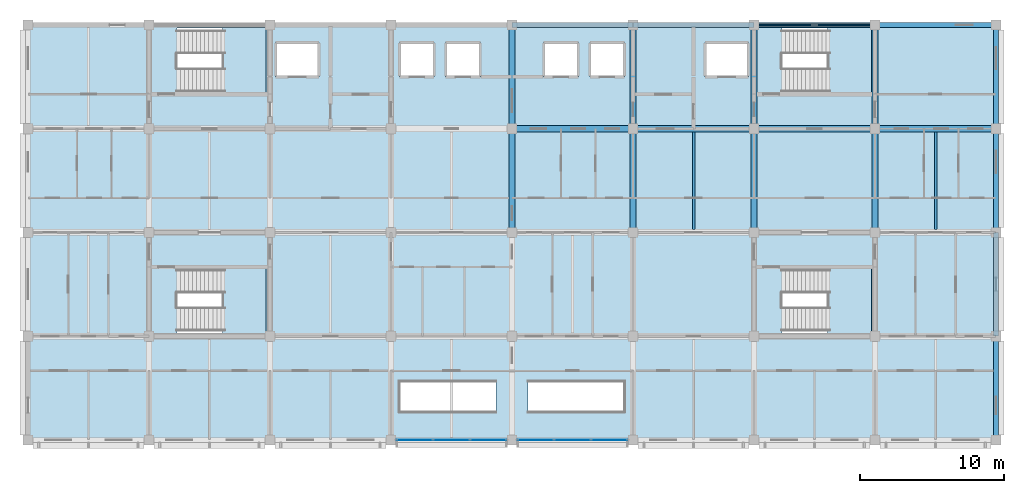
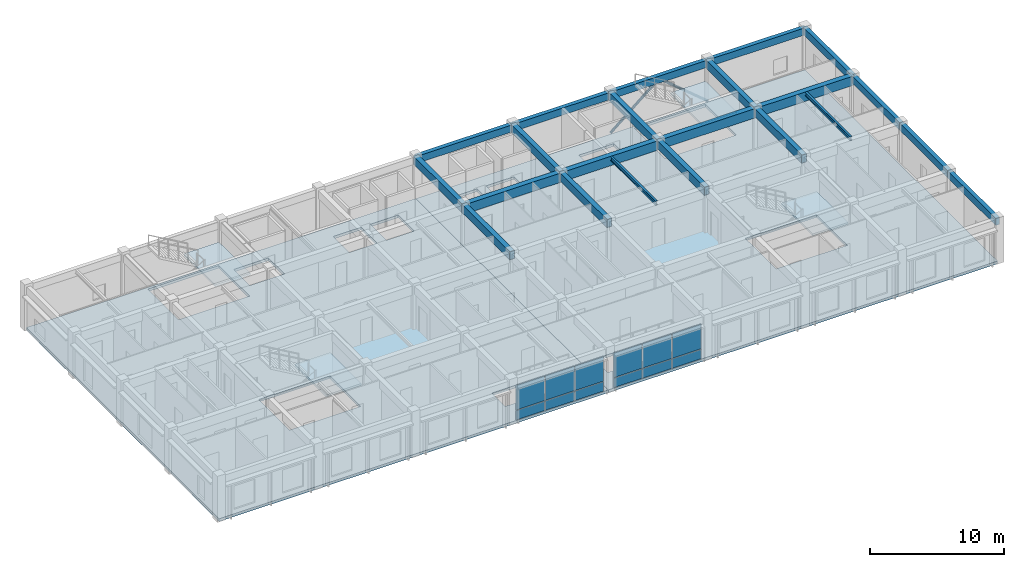
# One storey, part 5 of 17: 22 beams, 12 plates, 6 slabs, 2 members, 6 elements without a shape of their own.
"""IFC4 building model written with IfcOpenShell, lengths in metres."""

from ifc_helpers import new_model, si_unit, direction, frame, origin, origin_2d, place, context, subcontext, project, spatial, polyline, rectangle, hollow_circle, i_section, outline, extrude, material, layer, layer_set, material_profile, profile_set, type_object, element, aggregate, save


model = new_model("IFC4")

# Units and contexts
model_context = context("Model", 3, precision=1e-05, world=origin(), true_north=direction((0.0, 1.0)))
body_context = subcontext(model_context, "Body", "Model", "MODEL_VIEW")
ifc_project = project(units=[si_unit("LENGTHUNIT", "METRE"), si_unit("AREAUNIT", "SQUARE_METRE"), si_unit("VOLUMEUNIT", "CUBIC_METRE"), si_unit("PLANEANGLEUNIT", "RADIAN"), si_unit("MASSUNIT", "GRAM", prefix="KILO")], contexts=[model_context])

# Site, building, storey
site_placement = place(None, origin())
site = spatial("IfcSite", under=ifc_project, at=site_placement, CompositionType="ELEMENT")
building_placement = place(site_placement, origin())
building = spatial("IfcBuilding", under=site, at=building_placement, Name="Chengyuan Square Courthouse", CompositionType="ELEMENT")
storey_placement = place(building_placement, frame((0.0, 0.0, 51.89990234375)))
storey = spatial("IfcBuildingStorey", under=building, at=storey_placement, Name="L12", CompositionType="ELEMENT", Elevation=51.89990234375)

# Beams
ifc_material_1 = material(Name="Concrete C40", Category="concrete")
ifc_material_profile_1 = material_profile(ifc_material_1, rectangle(XDim=0.449951171875, YDim=0.85009765625, at=origin_2d()), Name="RC-BM-450x850")
ifc_profile_set_1 = profile_set([ifc_material_profile_1], Name="Concrete C40")
beam_type_1 = type_object("IfcBeamType", Name="BM-01", PredefinedType="USERDEFINED", material=ifc_profile_set_1)
beam_1_placement = place(storey_placement, frame((84.0, 100.800048828125, 3.53515625), z_axis=(1.0, 0.0, 0.0), x_axis=(0.0, 1.0, 0.0)))
element("IfcBeam", 1, at=beam_1_placement, inside=storey, type_object=beam_type_1, Name="Girder BM-L12-4274", ObjectType="GIRDER", PredefinedType="USERDEFINED", context=body_context, shape_type="SweptSolid", body=[
    extrude(rectangle(XDim=0.449951171875, YDim=0.85009765625, at=origin_2d()), origin(), (0.0, 0.0, 1.0), 8.39990234375),
])
beam_2_placement = place(storey_placement, frame((92.39990234375, 100.800048828125, 3.53515625), z_axis=(1.0, 0.0, 0.0), x_axis=(0.0, 1.0, 0.0)))
element("IfcBeam", 2, at=beam_2_placement, inside=storey, type_object=beam_type_1, Name="Girder BM-L12-4275", ObjectType="GIRDER", PredefinedType="USERDEFINED", context=body_context, shape_type="SweptSolid", body=[
    extrude(rectangle(XDim=0.449951171875, YDim=0.85009765625, at=origin_2d()), origin(), (0.0, 0.0, 1.0), 8.400146484375),
])
beam_3_placement = place(storey_placement, frame((100.800048828125, 100.800048828125, 3.53515625), z_axis=(1.0, 0.0, 0.0), x_axis=(0.0, 1.0, 0.0)))
element("IfcBeam", 3, at=beam_3_placement, inside=storey, type_object=beam_type_1, Name="Girder BM-L12-4276", ObjectType="GIRDER", PredefinedType="USERDEFINED", context=body_context, shape_type="SweptSolid", body=[
    extrude(rectangle(XDim=0.449951171875, YDim=0.85009765625, at=origin_2d()), origin(), (0.0, 0.0, 1.0), 8.39990234375),
])
beam_4_placement = place(storey_placement, frame((109.199951171875, 100.800048828125, 3.53515625), z_axis=(1.0, 0.0, 0.0), x_axis=(0.0, 1.0, 0.0)))
element("IfcBeam", 4, at=beam_4_placement, inside=storey, type_object=beam_type_1, Name="Girder BM-L12-4277", ObjectType="GIRDER", PredefinedType="USERDEFINED", context=body_context, shape_type="SweptSolid", body=[
    extrude(rectangle(XDim=0.449951171875, YDim=0.85009765625, at=origin_2d()), origin(), (0.0, 0.0, 1.0), 8.400146484375),
])
ifc_material_profile_2 = material_profile(ifc_material_1, rectangle(XDim=0.39990234375, YDim=0.75, at=origin_2d()), Name="RC-BM-400x750")
ifc_profile_set_2 = profile_set([ifc_material_profile_2], Name="Concrete C40")
beam_type_2 = type_object("IfcBeamType", Name="BM-02", PredefinedType="USERDEFINED", material=ifc_profile_set_2)
for number, where, z_axis, x_axis, name in (
    (5, (84.0, 93.60009765625, 3.585205078125), (0.0, 1.0, 0.0), (-1.0, 0.0, 0.0), "Girder BM-L12-4304"),
    (6, (84.0, 100.800048828125, 3.585205078125), (0.0, 1.0, 0.0), (-1.0, 0.0, 0.0), "Girder BM-L12-4305"),
    (7, (92.39990234375, 93.60009765625, 3.585205078125), (0.0, 1.0, 0.0), (-1.0, 0.0, 0.0), "Girder BM-L12-4308"),
    (8, (92.39990234375, 100.800048828125, 3.585205078125), (0.0, 1.0, 0.0), (-1.0, 0.0, 0.0), "Girder BM-L12-4309"),
    (9, (100.800048828125, 93.60009765625, 3.585205078125), (0.0, 1.0, 0.0), (-1.0, 0.0, 0.0), "Girder BM-L12-4312"),
    (10, (100.800048828125, 100.800048828125, 3.585205078125), (0.0, 1.0, 0.0), (-1.0, 0.0, 0.0), "Girder BM-L12-4313"),
    (11, (109.199951171875, 93.60009765625, 3.585205078125), (0.0, 1.0, 0.0), (-1.0, 0.0, 0.0), "Girder BM-L12-4316"),
    (12, (109.199951171875, 100.800048828125, 3.585205078125), (0.0, 1.0, 0.0), (-1.0, 0.0, 0.0), "Girder BM-L12-4317"),
):
    element("IfcBeam", number, at=place(storey_placement, frame(where, z_axis=z_axis, x_axis=x_axis)), inside=storey, type_object=beam_type_2, Name=name, ObjectType="GIRDER", PredefinedType="USERDEFINED", context=body_context, shape_type="SweptSolid", body=[
        extrude(rectangle(XDim=0.39990234375, YDim=0.75, at=origin_2d()), origin(), (0.0, 0.0, 1.0), 7.199951171875),
    ])
ifc_material_profile_3 = material_profile(ifc_material_1, rectangle(XDim=0.35009765625, YDim=0.64990234375, at=origin_2d()), Name="RC-BM-350x650")
ifc_profile_set_3 = profile_set([ifc_material_profile_3], Name="Concrete C40")
beam_type_3 = type_object("IfcBeamType", Name="BM-03", PredefinedType="SPANDREL", material=ifc_profile_set_3)
beam_5_placement = place(storey_placement, frame((84.0, 108.0, 3.635009765625), z_axis=(1.0, 0.0, 0.0), x_axis=(0.0, 1.0, 0.0)))
element("IfcBeam", 13, at=beam_5_placement, inside=storey, type_object=beam_type_3, Name="Girder BM-L12-4282", PredefinedType="SPANDREL", context=body_context, shape_type="SweptSolid", body=[
    extrude(rectangle(XDim=0.35009765625, YDim=0.64990234375, at=origin_2d()), origin(), (0.0, 0.0, 1.0), 8.39990234375),
])
beam_6_placement = place(storey_placement, frame((92.39990234375, 108.0, 3.635009765625), z_axis=(1.0, 0.0, 0.0), x_axis=(0.0, 1.0, 0.0)))
element("IfcBeam", 14, at=beam_6_placement, inside=storey, type_object=beam_type_3, Name="Girder BM-L12-4283", PredefinedType="SPANDREL", context=body_context, shape_type="SweptSolid", body=[
    extrude(rectangle(XDim=0.35009765625, YDim=0.64990234375, at=origin_2d()), origin(), (0.0, 0.0, 1.0), 8.400146484375),
])
beam_7_placement = place(storey_placement, frame((100.800048828125, 108.0, 3.635009765625), z_axis=(1.0, 0.0, 0.0), x_axis=(0.0, 1.0, 0.0)))
element("IfcBeam", 15, at=beam_7_placement, inside=storey, type_object=beam_type_3, Name="Girder BM-L12-4284", PredefinedType="SPANDREL", context=body_context, shape_type="SweptSolid", body=[
    extrude(rectangle(XDim=0.35009765625, YDim=0.64990234375, at=origin_2d()), origin(), (0.0, 0.0, 1.0), 8.39990234375),
])
beam_8_placement = place(storey_placement, frame((109.199951171875, 108.0, 3.635009765625), z_axis=(1.0, 0.0, 0.0), x_axis=(0.0, 1.0, 0.0)))
element("IfcBeam", 16, at=beam_8_placement, inside=storey, type_object=beam_type_3, Name="Girder BM-L12-4285", PredefinedType="SPANDREL", context=body_context, shape_type="SweptSolid", body=[
    extrude(rectangle(XDim=0.35009765625, YDim=0.64990234375, at=origin_2d()), origin(), (0.0, 0.0, 1.0), 8.400146484375),
])
beam_9_placement = place(storey_placement, frame((117.60009765625, 79.199951171875, 3.635009765625), z_axis=(0.0, 1.0, 0.0), x_axis=(-1.0, 0.0, 0.0)))
element("IfcBeam", 17, at=beam_9_placement, inside=storey, type_object=beam_type_3, Name="Girder BM-L12-4318", PredefinedType="SPANDREL", context=body_context, shape_type="SweptSolid", body=[
    extrude(rectangle(XDim=0.35009765625, YDim=0.64990234375, at=origin_2d()), origin(), (0.0, 0.0, 1.0), 7.199951171875),
])
beam_10_placement = place(storey_placement, frame((117.60009765625, 86.39990234375, 3.635009765625), z_axis=(0.0, 1.0, 0.0), x_axis=(-1.0, 0.0, 0.0)))
element("IfcBeam", 18, at=beam_10_placement, inside=storey, type_object=beam_type_3, Name="Girder BM-L12-4319", PredefinedType="SPANDREL", context=body_context, shape_type="SweptSolid", body=[
    extrude(rectangle(XDim=0.35009765625, YDim=0.64990234375, at=origin_2d()), origin(), (0.0, 0.0, 1.0), 7.2001953125),
])
for number, where, z_axis, x_axis, name in (
    (19, (117.60009765625, 93.60009765625, 3.635009765625), (0.0, 1.0, 0.0), (-1.0, 0.0, 0.0), "Girder BM-L12-4320"),
    (20, (117.60009765625, 100.800048828125, 3.635009765625), (0.0, 1.0, 0.0), (-1.0, 0.0, 0.0), "Girder BM-L12-4321"),
):
    element("IfcBeam", number, at=place(storey_placement, frame(where, z_axis=z_axis, x_axis=x_axis)), inside=storey, type_object=beam_type_3, Name=name, PredefinedType="SPANDREL", context=body_context, shape_type="SweptSolid", body=[
        extrude(rectangle(XDim=0.35009765625, YDim=0.64990234375, at=origin_2d()), origin(), (0.0, 0.0, 1.0), 7.199951171875),
    ])
ifc_material_2 = material(Name="Steel Q355B", Category="steel")
ifc_material_profile_4 = material_profile(ifc_material_2, i_section(OverallWidth=0.175048828125, OverallDepth=0.35009765625, WebThickness=0.007080078125, FlangeThickness=0.010986328125, at=origin_2d()), Name="HN 350x175x7x11")
ifc_profile_set_4 = profile_set([ifc_material_profile_4], Name="Steel Q355B")
beam_type_4 = type_object("IfcBeamType", Name="BM-08", PredefinedType="BEAM", material=ifc_profile_set_4)
for number, where, z_axis, x_axis, name in (
    (21, (96.60009765625, 93.824951171875, 3.78515625), (0.0, 1.0, 0.0), (-1.0, 0.0, 0.0), "Secondary Floor Beam SBM-L12-4332"),
    (22, (113.39990234375, 93.824951171875, 3.78515625), (0.0, 1.0, 0.0), (-1.0, 0.0, 0.0), "Secondary Floor Beam SBM-L12-4334"),
):
    element("IfcBeam", number, at=place(storey_placement, frame(where, z_axis=z_axis, x_axis=x_axis)), inside=storey, type_object=beam_type_4, Name=name, PredefinedType="BEAM", context=body_context, shape_type="SweptSolid", body=[
        extrude(i_section(OverallWidth=0.175048828125, OverallDepth=0.35009765625, WebThickness=0.007080078125, FlangeThickness=0.010986328125, at=origin_2d()), origin(), (0.0, 0.0, 1.0), 6.75),
    ])

# Members
ifc_material_profile_5 = material_profile(ifc_material_2, hollow_circle(Radius=0.109619140625, WallThickness=0.008056640625, at=origin_2d()), Name="CHS 219x8")
ifc_profile_set_5 = profile_set([ifc_material_profile_5], Name="Steel Q355B")
member_type = type_object("IfcMemberType", Name="BR-02", PredefinedType="BRACE", material=ifc_profile_set_5)
for number, where, z_axis, x_axis, name in (
    (23, (100.800048828125, 108.0, 0.10009765625), (0.767317473151, 0.0, 0.641267413329), (0.0, 1.0, 0.0), "Steel Chevron Brace BR-L12-047"),
    (24, (109.199951171875, 108.0, 0.10009765625), (-0.767317473151, 0.0, 0.641267413329), (0.0, -1.0, 0.0), "Steel Chevron Brace BR-L12-048"),
):
    element("IfcMember", number, at=place(storey_placement, frame(where, z_axis=z_axis, x_axis=x_axis)), inside=storey, type_object=member_type, Name=name, PredefinedType="BRACE", context=body_context, shape_type="SweptSolid", body=[
        extrude(hollow_circle(Radius=0.109619140625, WallThickness=0.008056640625, at=origin_2d()), origin(), (0.0, 0.0, 1.0), 5.4736328125),
    ])

# Curtain wall, plates
ifc_material_3 = material(Name="Unitised Aluminium and Triple Low-E Glass", Category="aluminium")
ifc_layer_1 = layer(ifc_material_3, 0.179931640625)
ifc_layer_set_1 = layer_set([ifc_layer_1], Name="Unitised Aluminium and Triple Low-E Glass")
curtain_wall_type = type_object("IfcCurtainWallType", Name="CW-10", PredefinedType="USERDEFINED", material=ifc_layer_set_1)
curtain_wall_1_placement = place(storey_placement, origin())
curtain_wall_1 = element("IfcCurtainWall", 25, at=curtain_wall_1_placement, inside=storey, type_object=curtain_wall_type, Name="Unitised Curtain Wall CW-L12-264", ObjectType="UNITISED CURTAIN WALL", PredefinedType="USERDEFINED")
ifc_material_4 = material(Name="Triple Low-E Insulating Glass", Category="glass")
ifc_layer_2 = layer(ifc_material_4, 0.052001953125)
ifc_layer_set_2 = layer_set([ifc_layer_2], Name="Triple Low-E Insulating Glass")
plate_type = type_object("IfcPlateType", Name="CWP-04", PredefinedType="CURTAIN_PANEL", material=ifc_layer_set_2)
plate_1_placement = place(storey_placement, frame((77.24951171875, 79.199951171875, 0.065185546875), z_axis=(0.0, 0.0, 1.0), x_axis=(1.0, 0.0, 0.0)))
plate_1 = element("IfcPlate", 26, at=plate_1_placement, type_object=plate_type, Name="CW-10 panel 1.1", PredefinedType="CURTAIN_PANEL", context=body_context, shape_type="SweptSolid", body=[
    extrude(rectangle(XDim=2.46923828125, YDim=0.052001953125, at=origin_2d()), origin(), (0.0, 0.0, 1.0), 0.8525390625),
])
plate_2_placement = place(storey_placement, frame((77.24951171875, 79.199951171875, 0.982421875), z_axis=(0.0, 0.0, 1.0), x_axis=(1.0, 0.0, 0.0)))
plate_2 = element("IfcPlate", 27, at=plate_2_placement, type_object=plate_type, Name="CW-10 panel 1.2", PredefinedType="CURTAIN_PANEL", context=body_context, shape_type="SweptSolid", body=[
    extrude(rectangle(XDim=2.46923828125, YDim=0.052001953125, at=origin_2d()), origin(), (0.0, 0.0, 1.0), 2.262451171875),
])
plate_3_placement = place(storey_placement, frame((79.800048828125, 79.199951171875, 0.065185546875), z_axis=(0.0, 0.0, 1.0), x_axis=(1.0, 0.0, 0.0)))
plate_3 = element("IfcPlate", 28, at=plate_3_placement, type_object=plate_type, Name="CW-10 panel 2.1", PredefinedType="CURTAIN_PANEL", context=body_context, shape_type="SweptSolid", body=[
    extrude(rectangle(XDim=2.501708984375, YDim=0.052001953125, at=origin_2d()), origin(), (0.0, 0.0, 1.0), 0.8525390625),
])
plate_4_placement = place(storey_placement, frame((79.800048828125, 79.199951171875, 0.982421875), z_axis=(0.0, 0.0, 1.0), x_axis=(1.0, 0.0, 0.0)))
plate_4 = element("IfcPlate", 29, at=plate_4_placement, type_object=plate_type, Name="CW-10 panel 2.2", PredefinedType="CURTAIN_PANEL", context=body_context, shape_type="SweptSolid", body=[
    extrude(rectangle(XDim=2.501708984375, YDim=0.052001953125, at=origin_2d()), origin(), (0.0, 0.0, 1.0), 2.262451171875),
])
plate_5_placement = place(storey_placement, frame((82.350341796875, 79.199951171875, 0.065185546875), z_axis=(0.0, 0.0, 1.0), x_axis=(1.0, 0.0, 0.0)))
plate_5 = element("IfcPlate", 30, at=plate_5_placement, type_object=plate_type, Name="CW-10 panel 3.1", PredefinedType="CURTAIN_PANEL", context=body_context, shape_type="SweptSolid", body=[
    extrude(rectangle(XDim=2.46923828125, YDim=0.052001953125, at=origin_2d()), origin(), (0.0, 0.0, 1.0), 0.8525390625),
])
plate_6_placement = place(storey_placement, frame((82.350341796875, 79.199951171875, 0.982421875), z_axis=(0.0, 0.0, 1.0), x_axis=(1.0, 0.0, 0.0)))
plate_6 = element("IfcPlate", 31, at=plate_6_placement, type_object=plate_type, Name="CW-10 panel 3.2", PredefinedType="CURTAIN_PANEL", context=body_context, shape_type="SweptSolid", body=[
    extrude(rectangle(XDim=2.46923828125, YDim=0.052001953125, at=origin_2d()), origin(), (0.0, 0.0, 1.0), 2.262451171875),
])
aggregate(curtain_wall_1, [plate_1, plate_2, plate_3, plate_4, plate_5, plate_6])

curtain_wall_2_placement = place(storey_placement, origin())
curtain_wall_2 = element("IfcCurtainWall", 32, at=curtain_wall_2_placement, inside=storey, type_object=curtain_wall_type, Name="Unitised Curtain Wall CW-L12-265", ObjectType="UNITISED CURTAIN WALL", PredefinedType="USERDEFINED")
plate_7_placement = place(storey_placement, frame((85.649658203125, 79.199951171875, 0.065185546875), z_axis=(0.0, 0.0, 1.0), x_axis=(1.0, 0.0, 0.0)))
plate_7 = element("IfcPlate", 33, at=plate_7_placement, type_object=plate_type, Name="CW-10 panel 1.1", PredefinedType="CURTAIN_PANEL", context=body_context, shape_type="SweptSolid", body=[
    extrude(rectangle(XDim=2.46923828125, YDim=0.052001953125, at=origin_2d()), origin(), (0.0, 0.0, 1.0), 0.8525390625),
])
plate_8_placement = place(storey_placement, frame((85.649658203125, 79.199951171875, 0.982421875), z_axis=(0.0, 0.0, 1.0), x_axis=(1.0, 0.0, 0.0)))
plate_8 = element("IfcPlate", 34, at=plate_8_placement, type_object=plate_type, Name="CW-10 panel 1.2", PredefinedType="CURTAIN_PANEL", context=body_context, shape_type="SweptSolid", body=[
    extrude(rectangle(XDim=2.46923828125, YDim=0.052001953125, at=origin_2d()), origin(), (0.0, 0.0, 1.0), 2.262451171875),
])
plate_9_placement = place(storey_placement, frame((88.199951171875, 79.199951171875, 0.065185546875), z_axis=(0.0, 0.0, 1.0), x_axis=(1.0, 0.0, 0.0)))
plate_9 = element("IfcPlate", 35, at=plate_9_placement, type_object=plate_type, Name="CW-10 panel 2.1", PredefinedType="CURTAIN_PANEL", context=body_context, shape_type="SweptSolid", body=[
    extrude(rectangle(XDim=2.501708984375, YDim=0.052001953125, at=origin_2d()), origin(), (0.0, 0.0, 1.0), 0.8525390625),
])
plate_10_placement = place(storey_placement, frame((88.199951171875, 79.199951171875, 0.982421875), z_axis=(0.0, 0.0, 1.0), x_axis=(1.0, 0.0, 0.0)))
plate_10 = element("IfcPlate", 36, at=plate_10_placement, type_object=plate_type, Name="CW-10 panel 2.2", PredefinedType="CURTAIN_PANEL", context=body_context, shape_type="SweptSolid", body=[
    extrude(rectangle(XDim=2.501708984375, YDim=0.052001953125, at=origin_2d()), origin(), (0.0, 0.0, 1.0), 2.262451171875),
])
plate_11_placement = place(storey_placement, frame((90.75048828125, 79.199951171875, 0.065185546875), z_axis=(0.0, 0.0, 1.0), x_axis=(1.0, 0.0, 0.0)))
plate_11 = element("IfcPlate", 37, at=plate_11_placement, type_object=plate_type, Name="CW-10 panel 3.1", PredefinedType="CURTAIN_PANEL", context=body_context, shape_type="SweptSolid", body=[
    extrude(rectangle(XDim=2.46923828125, YDim=0.052001953125, at=origin_2d()), origin(), (0.0, 0.0, 1.0), 0.8525390625),
])
plate_12_placement = place(storey_placement, frame((90.75048828125, 79.199951171875, 0.982421875), z_axis=(0.0, 0.0, 1.0), x_axis=(1.0, 0.0, 0.0)))
plate_12 = element("IfcPlate", 38, at=plate_12_placement, type_object=plate_type, Name="CW-10 panel 3.2", PredefinedType="CURTAIN_PANEL", context=body_context, shape_type="SweptSolid", body=[
    extrude(rectangle(XDim=2.46923828125, YDim=0.052001953125, at=origin_2d()), origin(), (0.0, 0.0, 1.0), 2.262451171875),
])
aggregate(curtain_wall_2, [plate_7, plate_8, plate_9, plate_10, plate_11, plate_12])

# Stair, slab
stair_type_1 = type_object("IfcStairType", Name="ST-TYPE-01", PredefinedType="HALF_TURN_STAIR", material=ifc_material_1)
stair_1_placement = place(storey_placement, origin())
stair_1 = element("IfcStair", 39, at=stair_1_placement, inside=storey, type_object=stair_type_1, Name="Smoke-Proof Exit Stair ST-1 (L12 to L13)", PredefinedType="HALF_TURN_STAIR")
ifc_layer_3 = layer(ifc_material_1, 0.179931640625)
ifc_layer_set_3 = layer_set([ifc_layer_3], Name="Concrete C40")
slab_type_1 = type_object("IfcSlabType", Name="SL-LND2", PredefinedType="LANDING", material=ifc_layer_set_3)
slab_1_placement = place(storey_placement, frame((0.0, 0.0, 1.920166015625)))
slab_1 = element("IfcSlab", 40, at=slab_1_placement, type_object=slab_type_1, Name="ST-1 landing 1", PredefinedType="LANDING", context=body_context, shape_type="SweptSolid", body=[
    extrude(outline(polyline([(63.889892578125, 103.159912109375), (66.93994140625, 103.159912109375), (66.93994140625, 107.840087890625), (63.889892578125, 107.840087890625), (63.889892578125, 103.159912109375)])), origin(), (0.0, 0.0, 1.0), 0.179931640625),
])
aggregate(stair_1, [slab_1])

stair_type_2 = type_object("IfcStairType", Name="ST-TYPE-02", PredefinedType="HALF_TURN_STAIR", material=ifc_material_1)
stair_2_placement = place(storey_placement, origin())
stair_2 = element("IfcStair", 41, at=stair_2_placement, inside=storey, type_object=stair_type_2, Name="Smoke-Proof Exit Stair ST-2 (L12 to L13)", PredefinedType="HALF_TURN_STAIR")
slab_2_placement = place(storey_placement, frame((0.0, 0.0, 1.920166015625)))
slab_2 = element("IfcSlab", 42, at=slab_2_placement, type_object=slab_type_1, Name="ST-2 landing 1", PredefinedType="LANDING", context=body_context, shape_type="SweptSolid", body=[
    extrude(outline(polyline([(105.889892578125, 103.159912109375), (108.93994140625, 103.159912109375), (108.93994140625, 107.840087890625), (105.889892578125, 107.840087890625), (105.889892578125, 103.159912109375)])), origin(), (0.0, 0.0, 1.0), 0.179931640625),
])
aggregate(stair_2, [slab_2])

stair_type_3 = type_object("IfcStairType", Name="ST-TYPE-03", PredefinedType="HALF_TURN_STAIR", material=ifc_material_1)
stair_3_placement = place(storey_placement, origin())
stair_3 = element("IfcStair", 43, at=stair_3_placement, inside=storey, type_object=stair_type_3, Name="Smoke-Proof Exit Stair ST-3 (L12 to L13)", PredefinedType="HALF_TURN_STAIR")
slab_3_placement = place(storey_placement, frame((0.0, 0.0, 1.920166015625)))
slab_3 = element("IfcSlab", 44, at=slab_3_placement, type_object=slab_type_1, Name="ST-3 landing 1", PredefinedType="LANDING", context=body_context, shape_type="SweptSolid", body=[
    extrude(outline(polyline([(63.889892578125, 86.56005859375), (66.93994140625, 86.56005859375), (66.93994140625, 91.239990234375), (63.889892578125, 91.239990234375), (63.889892578125, 86.56005859375)])), origin(), (0.0, 0.0, 1.0), 0.179931640625),
])
aggregate(stair_3, [slab_3])

stair_type_4 = type_object("IfcStairType", Name="ST-TYPE-04", PredefinedType="HALF_TURN_STAIR", material=ifc_material_1)
stair_4_placement = place(storey_placement, origin())
stair_4 = element("IfcStair", 45, at=stair_4_placement, inside=storey, type_object=stair_type_4, Name="Smoke-Proof Exit Stair ST-4 (L12 to L13)", PredefinedType="HALF_TURN_STAIR")
slab_4_placement = place(storey_placement, frame((0.0, 0.0, 1.920166015625)))
slab_4 = element("IfcSlab", 46, at=slab_4_placement, type_object=slab_type_1, Name="ST-4 landing 1", PredefinedType="LANDING", context=body_context, shape_type="SweptSolid", body=[
    extrude(outline(polyline([(105.889892578125, 86.56005859375), (108.93994140625, 86.56005859375), (108.93994140625, 91.239990234375), (105.889892578125, 91.239990234375), (105.889892578125, 86.56005859375)])), origin(), (0.0, 0.0, 1.0), 0.179931640625),
])
aggregate(stair_4, [slab_4])

# Slabs
ifc_layer_4 = layer(ifc_material_1, 0.239990234375)
ifc_layer_set_4 = layer_set([ifc_layer_4], Name="Concrete C40")
slab_type_2 = type_object("IfcSlabType", Name="SL-RC24", PredefinedType="FLOOR", material=ifc_layer_set_4)
slab_5_placement = place(storey_placement, frame((0.0, 0.0, -0.239990234375)))
element("IfcSlab", 47, at=slab_5_placement, inside=storey, type_object=slab_type_2, Name="Suspended Floor Slab SL-L12-01", PredefinedType="FLOOR", context=body_context, shape_type="SweptSolid", body=[
    extrude(outline(polyline([(50.39990234375, 79.199951171875), (50.39990234375, 86.39990234375), (50.39990234375, 93.60009765625), (50.39990234375, 100.800048828125), (50.39990234375, 108.0), (58.800048828125, 108.0), (67.199951171875, 108.0), (75.60009765625, 108.0), (84.0, 108.0), (84.0, 79.199951171875), (75.60009765625, 79.199951171875), (67.199951171875, 79.199951171875), (58.800048828125, 79.199951171875), (50.39990234375, 79.199951171875)]), holes=[polyline([(76.25, 81.199951171875), (82.89990234375, 81.199951171875), (82.89990234375, 83.199951171875), (76.25, 83.199951171875), (76.25, 81.199951171875)]), polyline([(60.75, 91.199951171875), (60.75, 86.60009765625), (66.89990234375, 86.60009765625), (66.89990234375, 91.199951171875), (60.75, 91.199951171875)]), polyline([(60.75, 107.800048828125), (60.75, 103.199951171875), (66.89990234375, 103.199951171875), (66.89990234375, 107.800048828125), (60.75, 107.800048828125)]), polyline([(67.60009765625, 104.39990234375), (70.60009765625, 104.39990234375), (70.60009765625, 106.800048828125), (67.60009765625, 106.800048828125), (67.60009765625, 104.39990234375)]), polyline([(76.199951171875, 106.800048828125), (76.199951171875, 104.39990234375), (78.60009765625, 104.39990234375), (78.60009765625, 106.800048828125), (76.199951171875, 106.800048828125)]), polyline([(79.39990234375, 106.800048828125), (79.39990234375, 104.39990234375), (81.800048828125, 104.39990234375), (81.800048828125, 106.800048828125), (79.39990234375, 106.800048828125)])]), origin(), (0.0, 0.0, 1.0), 0.239990234375),
])
slab_6_placement = place(storey_placement, frame((0.0, 0.0, -0.239990234375)))
element("IfcSlab", 48, at=slab_6_placement, inside=storey, type_object=slab_type_2, Name="Suspended Floor Slab SL-L12-02", PredefinedType="FLOOR", context=body_context, shape_type="SweptSolid", body=[
    extrude(outline(polyline([(92.39990234375, 108.0), (100.800048828125, 108.0), (109.199951171875, 108.0), (117.60009765625, 108.0), (117.60009765625, 100.800048828125), (117.60009765625, 93.60009765625), (117.60009765625, 86.39990234375), (117.60009765625, 79.199951171875), (109.199951171875, 79.199951171875), (100.800048828125, 79.199951171875), (92.39990234375, 79.199951171875), (84.0, 79.199951171875), (84.0, 108.0), (92.39990234375, 108.0)]), holes=[polyline([(85.10009765625, 81.199951171875), (91.75, 81.199951171875), (91.75, 83.199951171875), (85.10009765625, 83.199951171875), (85.10009765625, 81.199951171875)]), polyline([(102.75, 91.199951171875), (102.75, 86.60009765625), (108.89990234375, 86.60009765625), (108.89990234375, 91.199951171875), (102.75, 91.199951171875)]), polyline([(102.75, 107.800048828125), (102.75, 103.199951171875), (108.89990234375, 103.199951171875), (108.89990234375, 107.800048828125), (102.75, 107.800048828125)]), polyline([(86.199951171875, 104.39990234375), (88.60009765625, 104.39990234375), (88.60009765625, 106.800048828125), (86.199951171875, 106.800048828125), (86.199951171875, 104.39990234375)]), polyline([(89.39990234375, 106.800048828125), (89.39990234375, 104.39990234375), (91.800048828125, 104.39990234375), (91.800048828125, 106.800048828125), (89.39990234375, 106.800048828125)]), polyline([(97.39990234375, 106.800048828125), (97.39990234375, 104.39990234375), (100.39990234375, 104.39990234375), (100.39990234375, 106.800048828125), (97.39990234375, 106.800048828125)])]), origin(), (0.0, 0.0, 1.0), 0.239990234375),
])

save(model, "model.ifc")
